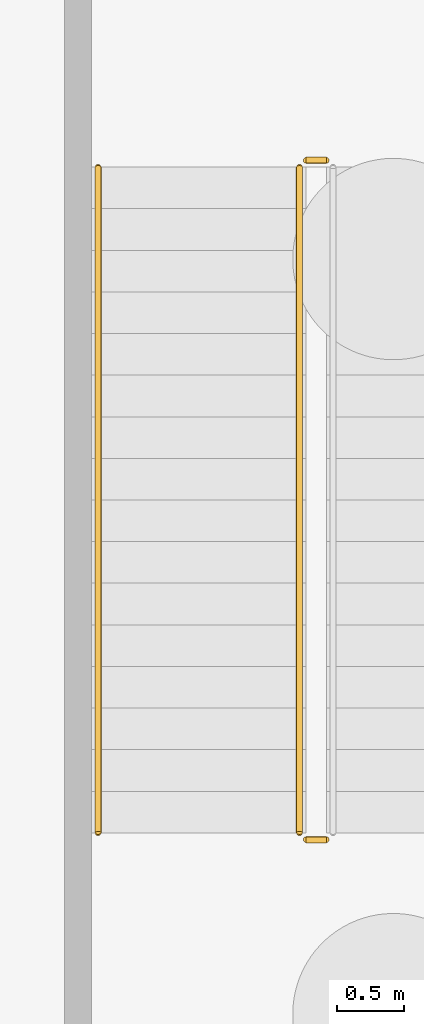
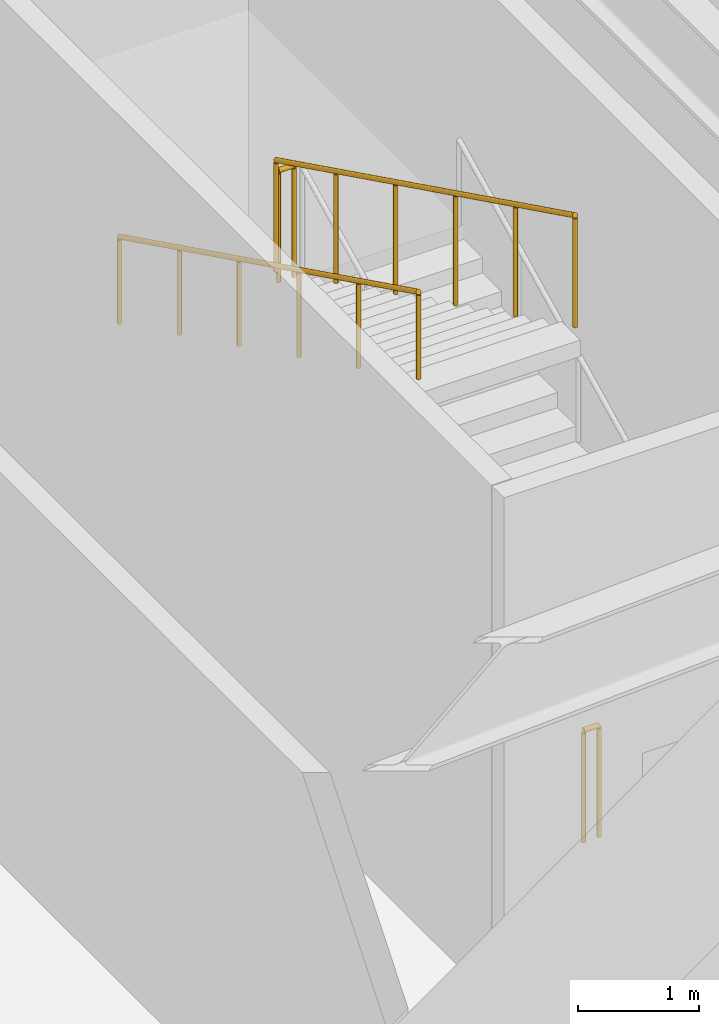
# One storey, part 6 of 11: 4 railings.
"""IFC4 building model written with IfcOpenShell, lengths in metres."""

from ifc_helpers import new_model, si_unit, direction, frame, origin, origin_2d, place, context, subcontext, project, spatial, circle, extrude, material, type_object, element, save


model = new_model("IFC4")

# Units and contexts
model_context = context("Model", 3, precision=1e-05, world=origin(), true_north=direction((0.0, 1.0)))
body_context = subcontext(model_context, "Body", "Model", "MODEL_VIEW")
ifc_project = project(units=[si_unit("LENGTHUNIT", "METRE"), si_unit("AREAUNIT", "SQUARE_METRE"), si_unit("VOLUMEUNIT", "CUBIC_METRE"), si_unit("PLANEANGLEUNIT", "RADIAN"), si_unit("MASSUNIT", "GRAM", prefix="KILO")], contexts=[model_context])

# Site, building, storey
site_placement = place(None, origin())
site = spatial("IfcSite", under=ifc_project, at=site_placement, CompositionType="ELEMENT")
building_placement = place(site_placement, origin())
building = spatial("IfcBuilding", under=site, at=building_placement, Name="Vaeldorn Concourse Tower", CompositionType="ELEMENT")
storey_placement = place(building_placement, frame((0.0, 0.0, -15.60009765625)))
storey = spatial("IfcBuildingStorey", under=building, at=storey_placement, Name="B03", CompositionType="ELEMENT", Elevation=-15.60009765625)

# Railings
ifc_material = material(Name="Anodised Bronze Aluminium", Category="aluminium")
railing_type_1 = type_object("IfcRailingType", Name="RL-STAIR-GUARD", PredefinedType="GUARDRAIL", material=ifc_material)
railing_1_placement = place(storey_placement, frame((64.0, 9.860107421875, 2.60009765625)))
element("IfcRailing", 1, at=railing_1_placement, inside=storey, type_object=railing_type_1, Name="B03 ST-5 stair guard 2", PredefinedType="GUARDRAIL", context=body_context, shape_type="SweptSolid", body=[
    extrude(circle(Radius=0.02392578125, at=origin_2d()), frame((0.0, 0.0, 1.1259765625), z_axis=(-1.0, 0.0, 0.0), x_axis=(0.0, -1.0, 0.0)), (0.0, 0.0, 1.0), 0.14990234375),
    extrude(circle(Radius=0.02099609375, at=origin_2d()), origin(), (0.0, 0.0, 1.0), 1.101806640625),
    extrude(circle(Radius=0.02099609375, at=origin_2d()), frame((-0.14990234375, 0.0, 0.0)), (0.0, 0.0, 1.0), 1.101806640625),
])
railing_2_placement = place(storey_placement, frame((63.800048828125, 9.81005859375, 2.7529296875)))
element("IfcRailing", 2, at=railing_2_placement, inside=storey, type_object=railing_type_1, Name="B03 ST-5 stair guard 3", PredefinedType="GUARDRAIL", context=body_context, shape_type="SweptSolid", body=[
    extrude(circle(Radius=0.02392578125, at=origin_2d()), frame((0.0, 0.0, 1.1259765625), z_axis=(0.0, -0.896780663155, 0.442475357721), x_axis=(1.0, 0.0, 0.0)), (0.0, 0.0, 1.0), 5.53076171875),
    extrude(circle(Radius=0.02099609375, at=origin_2d()), origin(), (0.0, 0.0, 1.0), 1.101806640625),
    extrude(circle(Radius=0.02099609375, at=origin_2d()), frame((0.0, -0.991943359375, 0.489501953125)), (0.0, 0.0, 1.0), 1.101806640625),
    extrude(circle(Radius=0.02099609375, at=origin_2d()), frame((0.0, -1.98388671875, 0.97900390625)), (0.0, 0.0, 1.0), 1.101806640625),
    extrude(circle(Radius=0.02099609375, at=origin_2d()), frame((0.0, -2.97607421875, 1.46826171875)), (0.0, 0.0, 1.0), 1.101806640625),
    extrude(circle(Radius=0.02099609375, at=origin_2d()), frame((0.0, -3.968017578125, 1.957763671875)), (0.0, 0.0, 1.0), 1.101806640625),
    extrude(circle(Radius=0.02099609375, at=origin_2d()), frame((0.0, -4.9599609375, 2.447265625)), (0.0, 0.0, 1.0), 1.101806640625),
])
railing_3_placement = place(storey_placement, frame((64.0, 4.800048828125, 0.0)))
element("IfcRailing", 3, at=railing_3_placement, inside=storey, type_object=railing_type_1, Name="B03 ST-5 stair guard 4", PredefinedType="GUARDRAIL", context=body_context, shape_type="SweptSolid", body=[
    extrude(circle(Radius=0.02392578125, at=origin_2d()), frame((0.0, 0.0, 1.1259765625), z_axis=(-1.0, 0.0, 0.0), x_axis=(0.0, -1.0, 0.0)), (0.0, 0.0, 1.0), 0.14990234375),
    extrude(circle(Radius=0.02099609375, at=origin_2d()), origin(), (0.0, 0.0, 1.0), 1.101806640625),
    extrude(circle(Radius=0.02099609375, at=origin_2d()), frame((-0.14990234375, 0.0, 0.0)), (0.0, 0.0, 1.0), 1.101806640625),
])
railing_type_2 = type_object("IfcRailingType", Name="RL-STAIR-HANDRAIL", PredefinedType="HANDRAIL", material=ifc_material)
railing_4_placement = place(storey_placement, frame((62.300048828125, 9.81005859375, 2.7529296875)))
element("IfcRailing", 4, at=railing_4_placement, inside=storey, type_object=railing_type_2, Name="B03 ST-5 stair handrail 2", PredefinedType="HANDRAIL", context=body_context, shape_type="SweptSolid", body=[
    extrude(circle(Radius=0.02392578125, at=origin_2d()), frame((0.0, 0.0, 0.8759765625), z_axis=(0.0, -0.896780663155, 0.442475357721), x_axis=(1.0, 0.0, 0.0)), (0.0, 0.0, 1.0), 5.53076171875),
    extrude(circle(Radius=0.02099609375, at=origin_2d()), origin(), (0.0, 0.0, 1.0), 0.851806640625),
    extrude(circle(Radius=0.02099609375, at=origin_2d()), frame((0.0, -0.991943359375, 0.489501953125)), (0.0, 0.0, 1.0), 0.851806640625),
    extrude(circle(Radius=0.02099609375, at=origin_2d()), frame((0.0, -1.98388671875, 0.97900390625)), (0.0, 0.0, 1.0), 0.851806640625),
    extrude(circle(Radius=0.02099609375, at=origin_2d()), frame((0.0, -2.97607421875, 1.46826171875)), (0.0, 0.0, 1.0), 0.851806640625),
    extrude(circle(Radius=0.02099609375, at=origin_2d()), frame((0.0, -3.968017578125, 1.957763671875)), (0.0, 0.0, 1.0), 0.851806640625),
    extrude(circle(Radius=0.02099609375, at=origin_2d()), frame((0.0, -4.9599609375, 2.447265625)), (0.0, 0.0, 1.0), 0.851806640625),
])

save(model, "model.ifc")
